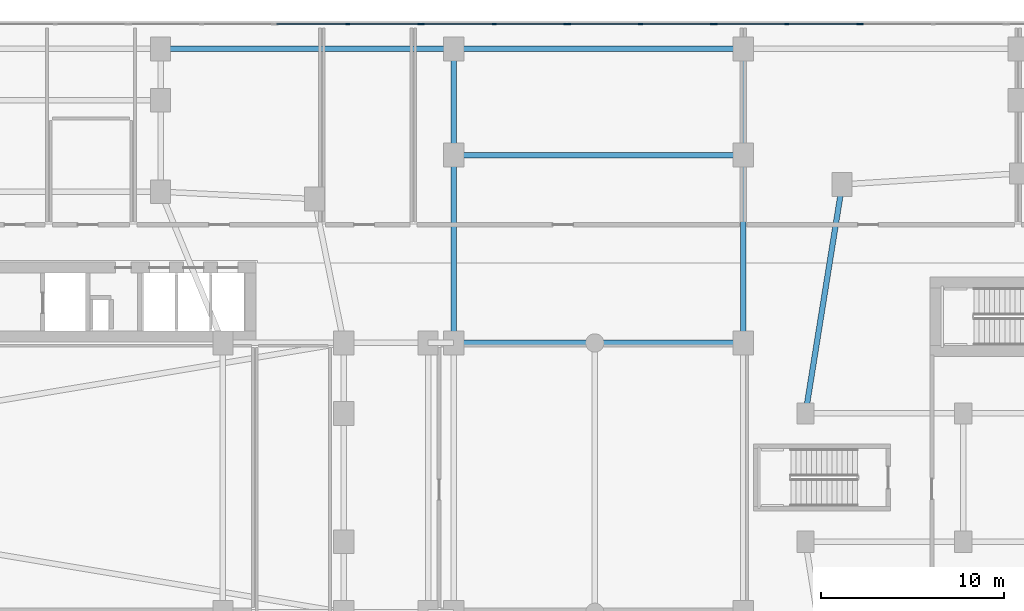
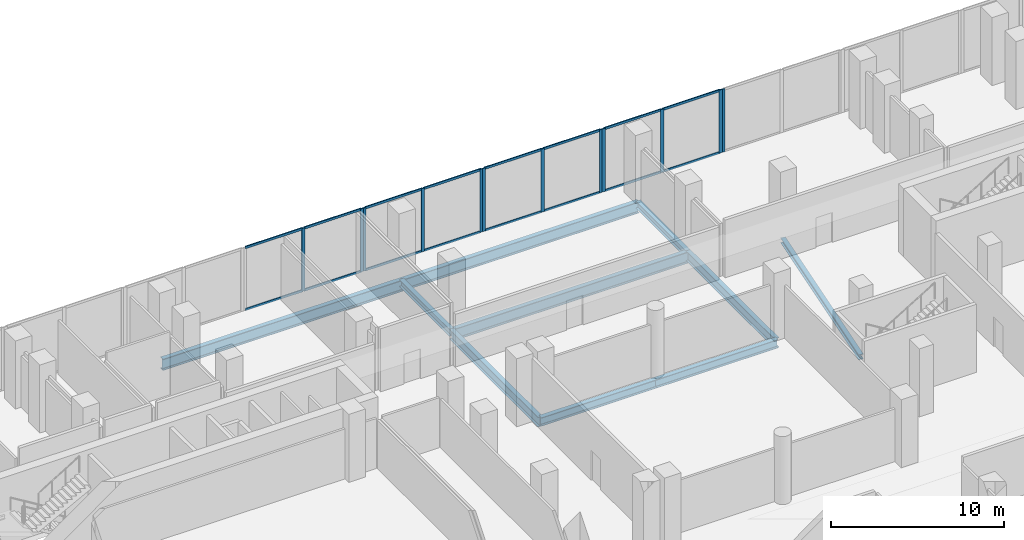
# One storey, part 7 of 23: 28 members, 10 beams, 5 elements without a shape of their own.
"""IFC4 building model written with IfcOpenShell, lengths in metres."""

from ifc_helpers import new_model, si_unit, derived_unit, direction, frame, origin, origin_2d, place, context, subcontext, project, spatial, rectangle, i_section, extrude, material, layer, layer_set, material_profile, profile_set, type_object, element, aggregate, save


model = new_model("IFC4")

# Units and contexts
model_context = context("Model", 3, precision=1e-05, world=origin(), true_north=direction((0.0, 1.0)))
body_context = subcontext(model_context, "Body", "Model", "MODEL_VIEW")
ifc_project = project(units=[si_unit("LENGTHUNIT", "METRE"), si_unit("AREAUNIT", "SQUARE_METRE"), si_unit("VOLUMEUNIT", "CUBIC_METRE"), si_unit("PLANEANGLEUNIT", "RADIAN"), si_unit("MASSUNIT", "GRAM", prefix="KILO"), derived_unit("THERMALTRANSMITTANCEUNIT", [(si_unit("POWERUNIT", "WATT"), 1), (si_unit("LENGTHUNIT", "METRE"), -2), (si_unit("THERMODYNAMICTEMPERATUREUNIT", "KELVIN"), -1)])], contexts=[model_context])

# Site, building, storey
site_placement = place(None, origin())
site = spatial("IfcSite", under=ifc_project, at=site_placement, CompositionType="ELEMENT")
building_placement = place(site_placement, origin())
building = spatial("IfcBuilding", under=site, at=building_placement, Name="Kivonza Crest Hotel", CompositionType="ELEMENT")
storey_placement = place(building_placement, frame((0.0, 0.0, 5.39990234375)))
storey = spatial("IfcBuildingStorey", under=building, at=storey_placement, Name="L01", CompositionType="ELEMENT", Elevation=5.39990234375)

# Beams
ifc_material_1 = material(Name="Steel S355", Category="steel")
ifc_material_profile_1 = material_profile(ifc_material_1, i_section(OverallWidth=0.300048828125, OverallDepth=0.360107421875, WebThickness=0.012451171875, FlangeThickness=0.0224609375, FilletRadius=0.027099609375, at=origin_2d()), Name="HEB 360")
ifc_profile_set_1 = profile_set([ifc_material_profile_1], Name="Steel S355")
beam_type_1 = type_object("IfcBeamType", Name="BM-HEB360", PredefinedType="SPANDREL", material=ifc_profile_set_1)
beam_1_placement = place(storey_placement, frame((63.0, 41.0, -0.52978515625), z_axis=(-0.157990501107, -0.987440631917, 0.0), x_axis=(0.987440631917, -0.157990501107, 0.0)))
element("IfcBeam", 1, at=beam_1_placement, inside=storey, type_object=beam_type_1, Name="Companion Tower T2 L01 perimeter spandrel NW-W2", PredefinedType="SPANDREL", context=body_context, shape_type="SweptSolid", body=[
    extrude(i_section(OverallWidth=0.300048828125, OverallDepth=0.360107421875, WebThickness=0.012451171875, FlangeThickness=0.0224609375, FilletRadius=0.027099609375, at=origin_2d()), origin(), (0.0, 0.0, 1.0), 12.658935546875),
])
ifc_material_profile_2 = material_profile(ifc_material_1, i_section(OverallWidth=0.300048828125, OverallDepth=0.5, WebThickness=0.014404296875, FlangeThickness=0.028076171875, FilletRadius=0.027099609375, at=origin_2d()), Name="HEB 500")
ifc_profile_set_2 = profile_set([ifc_material_profile_2], Name="Steel S355")
beam_type_2 = type_object("IfcBeamType", Name="BM-HEB500", PredefinedType="BEAM", material=ifc_profile_set_2)
for number, where, z_axis, x_axis, name in (
    (2, (41.800048828125, 42.60009765625, -0.599853515625), (0.0, 1.0, 0.0), (-1.0, 0.0, 0.0), "L01 podium girder Y 75"),
    (3, (57.60009765625, 42.60009765625, -0.599853515625), (0.0, 1.0, 0.0), (-1.0, 0.0, 0.0), "L01 podium girder Y 81"),
):
    element("IfcBeam", number, at=place(storey_placement, frame(where, z_axis=z_axis, x_axis=x_axis)), inside=storey, type_object=beam_type_2, Name=name, PredefinedType="BEAM", context=body_context, shape_type="SweptSolid", body=[
        extrude(i_section(OverallWidth=0.300048828125, OverallDepth=0.5, WebThickness=0.014404296875, FlangeThickness=0.028076171875, FilletRadius=0.027099609375, at=origin_2d()), origin(), (0.0, 0.0, 1.0), 5.7998046875),
    ])
ifc_material_profile_3 = material_profile(ifc_material_1, i_section(OverallWidth=0.300048828125, OverallDepth=0.60009765625, WebThickness=0.015380859375, FlangeThickness=0.030029296875, FilletRadius=0.027099609375, at=origin_2d()), Name="HEB 600")
ifc_profile_set_3 = profile_set([ifc_material_profile_3], Name="Steel S355")
beam_type_3 = type_object("IfcBeamType", Name="BM-HEB600", PredefinedType="BEAM", material=ifc_profile_set_3)
beam_2_placement = place(storey_placement, frame((41.800048828125, 32.35009765625, -0.64990234375), z_axis=(1.0, 0.0, 0.0), x_axis=(0.0, 1.0, 0.0)))
element("IfcBeam", 4, at=beam_2_placement, inside=storey, type_object=beam_type_3, Name="L01 podium girder X 33", PredefinedType="BEAM", context=body_context, shape_type="SweptSolid", body=[
    extrude(i_section(OverallWidth=0.300048828125, OverallDepth=0.60009765625, WebThickness=0.015380859375, FlangeThickness=0.030029296875, FilletRadius=0.027099609375, at=origin_2d()), origin(), (0.0, 0.0, 1.0), 7.699951171875),
])
beam_3_placement = place(storey_placement, frame((49.5, 32.35009765625, -0.64990234375), z_axis=(1.0, 0.0, 0.0), x_axis=(0.0, 1.0, 0.0)))
element("IfcBeam", 5, at=beam_3_placement, inside=storey, type_object=beam_type_3, Name="L01 podium girder X 34", PredefinedType="BEAM", context=body_context, shape_type="SweptSolid", body=[
    extrude(i_section(OverallWidth=0.300048828125, OverallDepth=0.60009765625, WebThickness=0.015380859375, FlangeThickness=0.030029296875, FilletRadius=0.027099609375, at=origin_2d()), origin(), (0.0, 0.0, 1.0), 8.10009765625),
])
ifc_material_profile_4 = material_profile(ifc_material_1, i_section(OverallWidth=0.300048828125, OverallDepth=0.699951171875, WebThickness=0.01708984375, FlangeThickness=0.031982421875, FilletRadius=0.027099609375, at=origin_2d()), Name="HEB 700")
ifc_profile_set_4 = profile_set([ifc_material_profile_4], Name="Steel S355")
beam_type_4 = type_object("IfcBeamType", Name="BM-HEB700", PredefinedType="BEAM", material=ifc_profile_set_4)
for number, where, z_axis, x_axis, name in (
    (6, (41.800048828125, 32.35009765625, -0.699951171875), (0.0, 1.0, 0.0), (-1.0, 0.0, 0.0), "L01 podium girder Y 74"),
    (7, (57.60009765625, 32.35009765625, -0.699951171875), (0.0, 1.0, 0.0), (-1.0, 0.0, 0.0), "L01 podium girder Y 80"),
):
    element("IfcBeam", number, at=place(storey_placement, frame(where, z_axis=z_axis, x_axis=x_axis)), inside=storey, type_object=beam_type_4, Name=name, PredefinedType="BEAM", context=body_context, shape_type="SweptSolid", body=[
        extrude(i_section(OverallWidth=0.300048828125, OverallDepth=0.699951171875, WebThickness=0.01708984375, FlangeThickness=0.031982421875, FilletRadius=0.027099609375, at=origin_2d()), origin(), (0.0, 0.0, 1.0), 10.25),
    ])
ifc_material_profile_5 = material_profile(ifc_material_1, i_section(OverallWidth=0.300048828125, OverallDepth=0.800048828125, WebThickness=0.017578125, FlangeThickness=0.032958984375, FilletRadius=0.030029296875, at=origin_2d()), Name="HEB 800")
ifc_profile_set_5 = profile_set([ifc_material_profile_5], Name="Steel S355")
beam_type_5 = type_object("IfcBeamType", Name="BM-HEB800", PredefinedType="BEAM", material=ifc_profile_set_5)
beam_4_placement = place(storey_placement, frame((41.800048828125, 42.60009765625, -0.75), z_axis=(1.0, 0.0, 0.0), x_axis=(0.0, 1.0, 0.0)))
element("IfcBeam", 8, at=beam_4_placement, inside=storey, type_object=beam_type_5, Name="L01 podium girder X 37", PredefinedType="BEAM", context=body_context, shape_type="SweptSolid", body=[
    extrude(i_section(OverallWidth=0.300048828125, OverallDepth=0.800048828125, WebThickness=0.017578125, FlangeThickness=0.032958984375, FilletRadius=0.030029296875, at=origin_2d()), origin(), (0.0, 0.0, 1.0), 15.800048828125),
])
beam_5_placement = place(storey_placement, frame((25.800048828125, 48.39990234375, -0.75), z_axis=(1.0, 0.0, 0.0), x_axis=(0.0, 1.0, 0.0)))
element("IfcBeam", 9, at=beam_5_placement, inside=storey, type_object=beam_type_5, Name="L01 podium girder X 44", PredefinedType="BEAM", context=body_context, shape_type="SweptSolid", body=[
    extrude(i_section(OverallWidth=0.300048828125, OverallDepth=0.800048828125, WebThickness=0.017578125, FlangeThickness=0.032958984375, FilletRadius=0.030029296875, at=origin_2d()), origin(), (0.0, 0.0, 1.0), 16.0),
])
beam_6_placement = place(storey_placement, frame((41.800048828125, 48.39990234375, -0.75), z_axis=(1.0, 0.0, 0.0), x_axis=(0.0, 1.0, 0.0)))
element("IfcBeam", 10, at=beam_6_placement, inside=storey, type_object=beam_type_5, Name="L01 podium girder X 45", PredefinedType="BEAM", context=body_context, shape_type="SweptSolid", body=[
    extrude(i_section(OverallWidth=0.300048828125, OverallDepth=0.800048828125, WebThickness=0.017578125, FlangeThickness=0.032958984375, FilletRadius=0.030029296875, at=origin_2d()), origin(), (0.0, 0.0, 1.0), 15.800048828125),
])

# Curtain wall, member
ifc_material_2 = material(Name="Anodised bronze aluminium and low-E double glazing", Category="aluminium")
ifc_layer = layer(ifc_material_2, 0.219970703125)
ifc_layer_set = layer_set([ifc_layer], Name="Anodised bronze aluminium and low-E double glazing")
curtain_wall_type = type_object("IfcCurtainWallType", Name="CW-SYS-1", PredefinedType="NOTDEFINED", material=ifc_layer_set)
curtain_wall_1_placement = place(storey_placement, origin())
curtain_wall_1 = element("IfcCurtainWall", 11, at=curtain_wall_1_placement, inside=storey, type_object=curtain_wall_type, Name="L01 unitised curtain wall CW-POD-L01-23", PredefinedType="NOTDEFINED")
ifc_material_3 = material(Name="Anodised bronze aluminium", Category="aluminium")
ifc_material_profile_6 = material_profile(ifc_material_3, rectangle(XDim=0.074951171875, YDim=0.219970703125, at=origin_2d()), Name="CW-M 75x220")
ifc_profile_set_6 = profile_set([ifc_material_profile_6], Name="Anodised bronze aluminium")
member_type_1 = type_object("IfcMemberType", Name="CW-MUL-75x220", PredefinedType="MULLION", material=ifc_profile_set_6)
member_1_placement = place(storey_placement, frame((64.050537109375, 49.760009765625, 0.0), z_axis=(0.0, 0.0, 1.0), x_axis=(0.0, -1.0, 0.0)))
member_1 = element("IfcMember", 12, at=member_1_placement, type_object=member_type_1, Name="CW-1 mullion 3", PredefinedType="MULLION", context=body_context, shape_type="SweptSolid", body=[
    extrude(rectangle(XDim=0.074951171875, YDim=0.219970703125, at=origin_2d()), origin(), (0.0, 0.0, 1.0), 4.4501953125),
])
aggregate(curtain_wall_1, [member_1])

# Curtain wall, members
curtain_wall_2_placement = place(storey_placement, origin())
curtain_wall_2 = element("IfcCurtainWall", 13, at=curtain_wall_2_placement, inside=storey, type_object=curtain_wall_type, Name="L01 unitised curtain wall CW-POD-L01-24", PredefinedType="NOTDEFINED")
member_2_placement = place(storey_placement, frame((63.8955078125, 49.760009765625, 0.0), z_axis=(0.0, 0.0, 1.0), x_axis=(0.0, -1.0, 0.0)))
member_2 = element("IfcMember", 14, at=member_2_placement, type_object=member_type_1, Name="CW-1 mullion 1", PredefinedType="MULLION", context=body_context, shape_type="SweptSolid", body=[
    extrude(rectangle(XDim=0.074951171875, YDim=0.219970703125, at=origin_2d()), origin(), (0.0, 0.0, 1.0), 4.4501953125),
])
member_3_placement = place(storey_placement, frame((59.97998046875, 49.760009765625, 0.0), z_axis=(0.0, 0.0, 1.0), x_axis=(0.0, -1.0, 0.0)))
member_3 = element("IfcMember", 15, at=member_3_placement, type_object=member_type_1, Name="CW-1 mullion 2", PredefinedType="MULLION", context=body_context, shape_type="SweptSolid", body=[
    extrude(rectangle(XDim=0.074951171875, YDim=0.219970703125, at=origin_2d()), origin(), (0.0, 0.0, 1.0), 4.4501953125),
])
member_4_placement = place(storey_placement, frame((56.064453125, 49.760009765625, 0.0), z_axis=(0.0, 0.0, 1.0), x_axis=(0.0, -1.0, 0.0)))
member_4 = element("IfcMember", 16, at=member_4_placement, type_object=member_type_1, Name="CW-1 mullion 3", PredefinedType="MULLION", context=body_context, shape_type="SweptSolid", body=[
    extrude(rectangle(XDim=0.074951171875, YDim=0.219970703125, at=origin_2d()), origin(), (0.0, 0.0, 1.0), 4.4501953125),
])

curtain_wall_3_placement = place(storey_placement, origin())
curtain_wall_3 = element("IfcCurtainWall", 17, at=curtain_wall_3_placement, inside=storey, type_object=curtain_wall_type, Name="L01 unitised curtain wall CW-POD-L01-25", PredefinedType="NOTDEFINED")
member_5_placement = place(storey_placement, frame((55.909423828125, 49.760009765625, 0.0), z_axis=(0.0, 0.0, 1.0), x_axis=(0.0, -1.0, 0.0)))
member_5 = element("IfcMember", 18, at=member_5_placement, type_object=member_type_1, Name="CW-1 mullion 1", PredefinedType="MULLION", context=body_context, shape_type="SweptSolid", body=[
    extrude(rectangle(XDim=0.074951171875, YDim=0.219970703125, at=origin_2d()), origin(), (0.0, 0.0, 1.0), 4.4501953125),
])
member_6_placement = place(storey_placement, frame((51.993408203125, 49.760009765625, 0.0), z_axis=(0.0, 0.0, 1.0), x_axis=(0.0, -1.0, 0.0)))
member_6 = element("IfcMember", 19, at=member_6_placement, type_object=member_type_1, Name="CW-1 mullion 2", PredefinedType="MULLION", context=body_context, shape_type="SweptSolid", body=[
    extrude(rectangle(XDim=0.074951171875, YDim=0.219970703125, at=origin_2d()), origin(), (0.0, 0.0, 1.0), 4.4501953125),
])
member_7_placement = place(storey_placement, frame((48.077392578125, 49.760009765625, 0.0), z_axis=(0.0, 0.0, 1.0), x_axis=(0.0, -1.0, 0.0)))
member_7 = element("IfcMember", 20, at=member_7_placement, type_object=member_type_1, Name="CW-1 mullion 3", PredefinedType="MULLION", context=body_context, shape_type="SweptSolid", body=[
    extrude(rectangle(XDim=0.074951171875, YDim=0.219970703125, at=origin_2d()), origin(), (0.0, 0.0, 1.0), 4.4501953125),
])

curtain_wall_4_placement = place(storey_placement, origin())
curtain_wall_4 = element("IfcCurtainWall", 21, at=curtain_wall_4_placement, inside=storey, type_object=curtain_wall_type, Name="L01 unitised curtain wall CW-POD-L01-26", PredefinedType="NOTDEFINED")
member_8_placement = place(storey_placement, frame((47.922607421875, 49.760009765625, 0.0), z_axis=(0.0, 0.0, 1.0), x_axis=(0.0, -1.0, 0.0)))
member_8 = element("IfcMember", 22, at=member_8_placement, type_object=member_type_1, Name="CW-1 mullion 1", PredefinedType="MULLION", context=body_context, shape_type="SweptSolid", body=[
    extrude(rectangle(XDim=0.074951171875, YDim=0.219970703125, at=origin_2d()), origin(), (0.0, 0.0, 1.0), 4.4501953125),
])
member_9_placement = place(storey_placement, frame((44.006591796875, 49.760009765625, 0.0), z_axis=(0.0, 0.0, 1.0), x_axis=(0.0, -1.0, 0.0)))
member_9 = element("IfcMember", 23, at=member_9_placement, type_object=member_type_1, Name="CW-1 mullion 2", PredefinedType="MULLION", context=body_context, shape_type="SweptSolid", body=[
    extrude(rectangle(XDim=0.074951171875, YDim=0.219970703125, at=origin_2d()), origin(), (0.0, 0.0, 1.0), 4.4501953125),
])
member_10_placement = place(storey_placement, frame((40.090576171875, 49.760009765625, 0.0), z_axis=(0.0, 0.0, 1.0), x_axis=(0.0, -1.0, 0.0)))
member_10 = element("IfcMember", 24, at=member_10_placement, type_object=member_type_1, Name="CW-1 mullion 3", PredefinedType="MULLION", context=body_context, shape_type="SweptSolid", body=[
    extrude(rectangle(XDim=0.074951171875, YDim=0.219970703125, at=origin_2d()), origin(), (0.0, 0.0, 1.0), 4.4501953125),
])

curtain_wall_5_placement = place(storey_placement, origin())
curtain_wall_5 = element("IfcCurtainWall", 25, at=curtain_wall_5_placement, inside=storey, type_object=curtain_wall_type, Name="L01 unitised curtain wall CW-POD-L01-27", PredefinedType="NOTDEFINED")
member_11_placement = place(storey_placement, frame((39.935546875, 49.760009765625, 0.0), z_axis=(0.0, 0.0, 1.0), x_axis=(0.0, -1.0, 0.0)))
member_11 = element("IfcMember", 26, at=member_11_placement, type_object=member_type_1, Name="CW-1 mullion 1", PredefinedType="MULLION", context=body_context, shape_type="SweptSolid", body=[
    extrude(rectangle(XDim=0.074951171875, YDim=0.219970703125, at=origin_2d()), origin(), (0.0, 0.0, 1.0), 4.4501953125),
])
member_12_placement = place(storey_placement, frame((36.02001953125, 49.760009765625, 0.0), z_axis=(0.0, 0.0, 1.0), x_axis=(0.0, -1.0, 0.0)))
member_12 = element("IfcMember", 27, at=member_12_placement, type_object=member_type_1, Name="CW-1 mullion 2", PredefinedType="MULLION", context=body_context, shape_type="SweptSolid", body=[
    extrude(rectangle(XDim=0.074951171875, YDim=0.219970703125, at=origin_2d()), origin(), (0.0, 0.0, 1.0), 4.4501953125),
])

# Member
ifc_material_profile_7 = material_profile(ifc_material_3, rectangle(XDim=0.074951171875, YDim=0.159912109375, at=origin_2d()), Name="CW-T 75x160")
ifc_profile_set_7 = profile_set([ifc_material_profile_7], Name="Anodised bronze aluminium")
member_type_2 = type_object("IfcMemberType", Name="CW-TRN-75x160", PredefinedType="USERDEFINED", material=ifc_profile_set_7)
member_13_placement = place(storey_placement, frame((63.85791015625, 49.760009765625, 0.03759765625), z_axis=(-1.0, 0.0, 0.0), x_axis=(0.0, -1.0, 0.0)))
member_13 = element("IfcMember", 28, at=member_13_placement, type_object=member_type_2, Name="CW-1 transom 1.1", ObjectType="TRANSOM", PredefinedType="USERDEFINED", context=body_context, shape_type="SweptSolid", body=[
    extrude(rectangle(XDim=0.074951171875, YDim=0.159912109375, at=origin_2d()), origin(), (0.0, 0.0, 1.0), 3.84033203125),
])

member_14_placement = place(storey_placement, frame((63.85791015625, 49.760009765625, 4.41259765625), z_axis=(-1.0, 0.0, 0.0), x_axis=(0.0, -1.0, 0.0)))
member_14 = element("IfcMember", 29, at=member_14_placement, type_object=member_type_2, Name="CW-1 transom 1.2", ObjectType="TRANSOM", PredefinedType="USERDEFINED", context=body_context, shape_type="SweptSolid", body=[
    extrude(rectangle(XDim=0.074951171875, YDim=0.159912109375, at=origin_2d()), origin(), (0.0, 0.0, 1.0), 3.84033203125),
])

member_15_placement = place(storey_placement, frame((59.9423828125, 49.760009765625, 0.03759765625), z_axis=(-1.0, 0.0, 0.0), x_axis=(0.0, -1.0, 0.0)))
member_15 = element("IfcMember", 30, at=member_15_placement, type_object=member_type_2, Name="CW-1 transom 2.1", ObjectType="TRANSOM", PredefinedType="USERDEFINED", context=body_context, shape_type="SweptSolid", body=[
    extrude(rectangle(XDim=0.074951171875, YDim=0.159912109375, at=origin_2d()), origin(), (0.0, 0.0, 1.0), 3.84033203125),
])

member_16_placement = place(storey_placement, frame((59.9423828125, 49.760009765625, 4.41259765625), z_axis=(-1.0, 0.0, 0.0), x_axis=(0.0, -1.0, 0.0)))
member_16 = element("IfcMember", 31, at=member_16_placement, type_object=member_type_2, Name="CW-1 transom 2.2", ObjectType="TRANSOM", PredefinedType="USERDEFINED", context=body_context, shape_type="SweptSolid", body=[
    extrude(rectangle(XDim=0.074951171875, YDim=0.159912109375, at=origin_2d()), origin(), (0.0, 0.0, 1.0), 3.84033203125),
])

aggregate(curtain_wall_2, [member_2, member_3, member_4, member_13, member_14, member_15, member_16])

member_17_placement = place(storey_placement, frame((55.8720703125, 49.760009765625, 0.03759765625), z_axis=(-1.0, 0.0, 0.0), x_axis=(0.0, -1.0, 0.0)))
member_17 = element("IfcMember", 32, at=member_17_placement, type_object=member_type_2, Name="CW-1 transom 1.1", ObjectType="TRANSOM", PredefinedType="USERDEFINED", context=body_context, shape_type="SweptSolid", body=[
    extrude(rectangle(XDim=0.074951171875, YDim=0.159912109375, at=origin_2d()), origin(), (0.0, 0.0, 1.0), 3.841064453125),
])

member_18_placement = place(storey_placement, frame((55.8720703125, 49.760009765625, 4.41259765625), z_axis=(-1.0, 0.0, 0.0), x_axis=(0.0, -1.0, 0.0)))
member_18 = element("IfcMember", 33, at=member_18_placement, type_object=member_type_2, Name="CW-1 transom 1.2", ObjectType="TRANSOM", PredefinedType="USERDEFINED", context=body_context, shape_type="SweptSolid", body=[
    extrude(rectangle(XDim=0.074951171875, YDim=0.159912109375, at=origin_2d()), origin(), (0.0, 0.0, 1.0), 3.841064453125),
])

member_19_placement = place(storey_placement, frame((51.9560546875, 49.760009765625, 0.03759765625), z_axis=(-1.0, 0.0, 0.0), x_axis=(0.0, -1.0, 0.0)))
member_19 = element("IfcMember", 34, at=member_19_placement, type_object=member_type_2, Name="CW-1 transom 2.1", ObjectType="TRANSOM", PredefinedType="USERDEFINED", context=body_context, shape_type="SweptSolid", body=[
    extrude(rectangle(XDim=0.074951171875, YDim=0.159912109375, at=origin_2d()), origin(), (0.0, 0.0, 1.0), 3.841064453125),
])

member_20_placement = place(storey_placement, frame((51.9560546875, 49.760009765625, 4.41259765625), z_axis=(-1.0, 0.0, 0.0), x_axis=(0.0, -1.0, 0.0)))
member_20 = element("IfcMember", 35, at=member_20_placement, type_object=member_type_2, Name="CW-1 transom 2.2", ObjectType="TRANSOM", PredefinedType="USERDEFINED", context=body_context, shape_type="SweptSolid", body=[
    extrude(rectangle(XDim=0.074951171875, YDim=0.159912109375, at=origin_2d()), origin(), (0.0, 0.0, 1.0), 3.841064453125),
])

aggregate(curtain_wall_3, [member_5, member_6, member_7, member_17, member_18, member_19, member_20])

member_21_placement = place(storey_placement, frame((47.885009765625, 49.760009765625, 0.03759765625), z_axis=(-1.0, 0.0, 0.0), x_axis=(0.0, -1.0, 0.0)))
member_21 = element("IfcMember", 36, at=member_21_placement, type_object=member_type_2, Name="CW-1 transom 1.1", ObjectType="TRANSOM", PredefinedType="USERDEFINED", context=body_context, shape_type="SweptSolid", body=[
    extrude(rectangle(XDim=0.074951171875, YDim=0.159912109375, at=origin_2d()), origin(), (0.0, 0.0, 1.0), 3.841064453125),
])

member_22_placement = place(storey_placement, frame((47.885009765625, 49.760009765625, 4.41259765625), z_axis=(-1.0, 0.0, 0.0), x_axis=(0.0, -1.0, 0.0)))
member_22 = element("IfcMember", 37, at=member_22_placement, type_object=member_type_2, Name="CW-1 transom 1.2", ObjectType="TRANSOM", PredefinedType="USERDEFINED", context=body_context, shape_type="SweptSolid", body=[
    extrude(rectangle(XDim=0.074951171875, YDim=0.159912109375, at=origin_2d()), origin(), (0.0, 0.0, 1.0), 3.841064453125),
])

member_23_placement = place(storey_placement, frame((43.968994140625, 49.760009765625, 0.03759765625), z_axis=(-1.0, 0.0, 0.0), x_axis=(0.0, -1.0, 0.0)))
member_23 = element("IfcMember", 38, at=member_23_placement, type_object=member_type_2, Name="CW-1 transom 2.1", ObjectType="TRANSOM", PredefinedType="USERDEFINED", context=body_context, shape_type="SweptSolid", body=[
    extrude(rectangle(XDim=0.074951171875, YDim=0.159912109375, at=origin_2d()), origin(), (0.0, 0.0, 1.0), 3.841064453125),
])

member_24_placement = place(storey_placement, frame((43.968994140625, 49.760009765625, 4.41259765625), z_axis=(-1.0, 0.0, 0.0), x_axis=(0.0, -1.0, 0.0)))
member_24 = element("IfcMember", 39, at=member_24_placement, type_object=member_type_2, Name="CW-1 transom 2.2", ObjectType="TRANSOM", PredefinedType="USERDEFINED", context=body_context, shape_type="SweptSolid", body=[
    extrude(rectangle(XDim=0.074951171875, YDim=0.159912109375, at=origin_2d()), origin(), (0.0, 0.0, 1.0), 3.841064453125),
])

aggregate(curtain_wall_4, [member_8, member_9, member_10, member_21, member_22, member_23, member_24])

member_25_placement = place(storey_placement, frame((39.89794921875, 49.760009765625, 0.03759765625), z_axis=(-1.0, 0.0, 0.0), x_axis=(0.0, -1.0, 0.0)))
member_25 = element("IfcMember", 40, at=member_25_placement, type_object=member_type_2, Name="CW-1 transom 1.1", ObjectType="TRANSOM", PredefinedType="USERDEFINED", context=body_context, shape_type="SweptSolid", body=[
    extrude(rectangle(XDim=0.074951171875, YDim=0.159912109375, at=origin_2d()), origin(), (0.0, 0.0, 1.0), 3.84033203125),
])

member_26_placement = place(storey_placement, frame((39.89794921875, 49.760009765625, 4.41259765625), z_axis=(-1.0, 0.0, 0.0), x_axis=(0.0, -1.0, 0.0)))
member_26 = element("IfcMember", 41, at=member_26_placement, type_object=member_type_2, Name="CW-1 transom 1.2", ObjectType="TRANSOM", PredefinedType="USERDEFINED", context=body_context, shape_type="SweptSolid", body=[
    extrude(rectangle(XDim=0.074951171875, YDim=0.159912109375, at=origin_2d()), origin(), (0.0, 0.0, 1.0), 3.84033203125),
])

member_27_placement = place(storey_placement, frame((35.982421875, 49.760009765625, 0.03759765625), z_axis=(-1.0, 0.0, 0.0), x_axis=(0.0, -1.0, 0.0)))
member_27 = element("IfcMember", 42, at=member_27_placement, type_object=member_type_2, Name="CW-1 transom 2.1", ObjectType="TRANSOM", PredefinedType="USERDEFINED", context=body_context, shape_type="SweptSolid", body=[
    extrude(rectangle(XDim=0.074951171875, YDim=0.159912109375, at=origin_2d()), origin(), (0.0, 0.0, 1.0), 3.84033203125),
])

member_28_placement = place(storey_placement, frame((35.982421875, 49.760009765625, 4.41259765625), z_axis=(-1.0, 0.0, 0.0), x_axis=(0.0, -1.0, 0.0)))
member_28 = element("IfcMember", 43, at=member_28_placement, type_object=member_type_2, Name="CW-1 transom 2.2", ObjectType="TRANSOM", PredefinedType="USERDEFINED", context=body_context, shape_type="SweptSolid", body=[
    extrude(rectangle(XDim=0.074951171875, YDim=0.159912109375, at=origin_2d()), origin(), (0.0, 0.0, 1.0), 3.84033203125),
])

aggregate(curtain_wall_5, [member_11, member_12, member_25, member_26, member_27, member_28])

save(model, "model.ifc")
